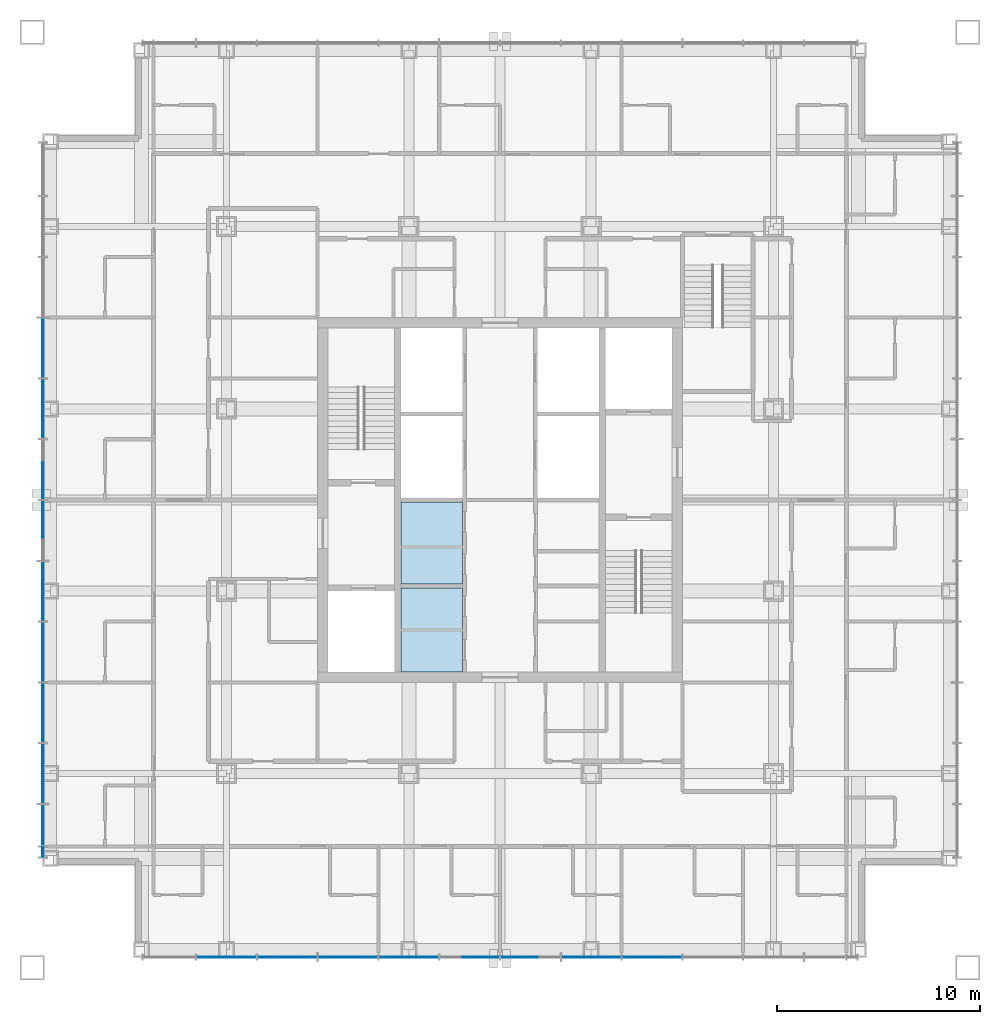
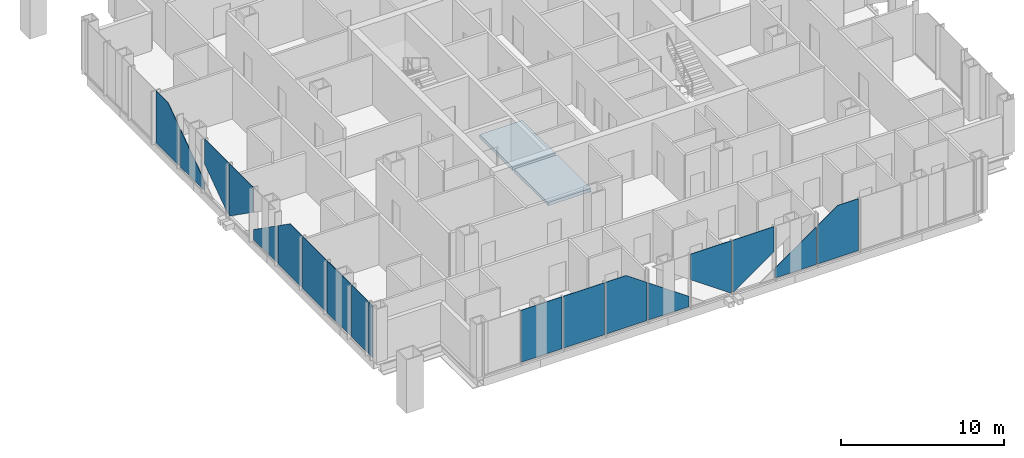
# One storey, part 7 of 17: 18 plates, 2 slabs, 2 elements without a shape of their own.
"""IFC4 building model written with IfcOpenShell, lengths in metres."""

from ifc_helpers import new_model, si_unit, direction, frame, origin, origin_2d, place, context, subcontext, project, spatial, polyline, rectangle, outline, extrude, material, layer, layer_set, type_object, element, aggregate, save


model = new_model("IFC4")

# Units and contexts
model_context = context("Model", 3, precision=1e-05, world=origin(), true_north=direction((0.0, 1.0)))
body_context = subcontext(model_context, "Body", "Model", "MODEL_VIEW")
ifc_project = project(units=[si_unit("LENGTHUNIT", "METRE"), si_unit("AREAUNIT", "SQUARE_METRE"), si_unit("VOLUMEUNIT", "CUBIC_METRE"), si_unit("PLANEANGLEUNIT", "RADIAN"), si_unit("MASSUNIT", "GRAM", prefix="KILO")], contexts=[model_context])

# Site, building, storey
site_placement = place(None, origin())
site = spatial("IfcSite", under=ifc_project, at=site_placement, CompositionType="ELEMENT")
building_placement = place(site_placement, origin())
building = spatial("IfcBuilding", under=site, at=building_placement, Name="Malebo Sky Hospital", CompositionType="ELEMENT")
storey_placement = place(building_placement, frame((0.0, 0.0, 193.0)))
storey = spatial("IfcBuildingStorey", under=building, at=storey_placement, Name="L46", CompositionType="ELEMENT", Elevation=193.0)

# Slabs
ifc_material_1 = material(Name="Concrete C40/50", Category="concrete")
ifc_layer_1 = layer(ifc_material_1, 0.25)
ifc_layer_set_1 = layer_set([ifc_layer_1], Name="SHAFT INFILL SLAB 250")
slab_type = type_object("IfcSlabType", Name="SHAFT INFILL SLAB 250", PredefinedType="FLOOR", material=ifc_layer_set_1)
slab_1_placement = place(storey_placement, frame((0.0, 0.0, -0.25)))
element("IfcSlab", 1, at=slab_1_placement, inside=storey, type_object=slab_type, Name="Shaft infill slab W1 L46", PredefinedType="FLOOR", context=body_context, shape_type="SweptSolid", body=[
    extrude(outline(polyline([(55.10009765625, 53.5), (58.14990234375, 53.5), (58.14990234375, 57.64990234375), (55.10009765625, 57.64990234375), (55.10009765625, 53.5)])), origin(), (0.0, 0.0, 1.0), 0.25),
])
slab_2_placement = place(storey_placement, frame((0.0, 0.0, -0.25)))
element("IfcSlab", 2, at=slab_2_placement, inside=storey, type_object=slab_type, Name="Shaft infill slab W2 L46", PredefinedType="FLOOR", context=body_context, shape_type="SweptSolid", body=[
    extrude(outline(polyline([(55.10009765625, 57.85009765625), (58.14990234375, 57.85009765625), (58.14990234375, 61.89990234375), (55.10009765625, 61.89990234375), (55.10009765625, 57.85009765625)])), origin(), (0.0, 0.0, 1.0), 0.25),
])

# Curtain wall, plates
ifc_material_2 = material(Name="Anodised aluminium, natural silver", Category="aluminium")
ifc_layer_2 = layer(ifc_material_2, 0.25)
ifc_layer_set_2 = layer_set([ifc_layer_2], Name="WARD CURTAIN WALL EAST AND WEST")
curtain_wall_type_1 = type_object("IfcCurtainWallType", Name="WARD CURTAIN WALL EAST AND WEST", PredefinedType="NOTDEFINED", material=ifc_layer_set_2)
curtain_wall_1_placement = place(storey_placement, origin())
curtain_wall_1 = element("IfcCurtainWall", 3, at=curtain_wall_1_placement, inside=storey, type_object=curtain_wall_type_1, Name="EW curtain wall W", PredefinedType="NOTDEFINED")
ifc_material_3 = material(Name="Clear low-iron double glazing", Category="glass")
ifc_layer_3 = layer(ifc_material_3, 0.031982421875)
ifc_layer_set_3 = layer_set([ifc_layer_3], Name="VISION PANEL CLEAR 32")
plate_type = type_object("IfcPlateType", Name="VISION PANEL CLEAR 32", PredefinedType="CURTAIN_PANEL", material=ifc_layer_set_3)
plate_1_placement = place(storey_placement, frame((37.425048828125, 44.61865234375, 0.10009765625), z_axis=(0.0, 0.0, 1.0), x_axis=(0.0, 1.0, 0.0)))
plate_1 = element("IfcPlate", 4, at=plate_1_placement, type_object=plate_type, Name="Panel 1", PredefinedType="CURTAIN_PANEL", context=body_context, shape_type="SweptSolid", body=[
    extrude(rectangle(XDim=0.487548828125, YDim=0.031982421875, at=origin_2d()), origin(), (0.0, 0.0, 1.0), 3.889892578125),
])
plate_2_placement = place(storey_placement, frame((37.425048828125, 45.949951171875, 0.10009765625), z_axis=(0.0, 0.0, 1.0), x_axis=(0.0, 1.0, 0.0)))
plate_2 = element("IfcPlate", 5, at=plate_2_placement, type_object=plate_type, Name="Panel 2", PredefinedType="CURTAIN_PANEL", context=body_context, shape_type="SweptSolid", body=[
    extrude(rectangle(XDim=2.02490234375, YDim=0.031982421875, at=origin_2d()), origin(), (0.0, 0.0, 1.0), 3.889892578125),
])
plate_3_placement = place(storey_placement, frame((37.425048828125, 48.5, 0.10009765625), z_axis=(0.0, 0.0, 1.0), x_axis=(0.0, 1.0, 0.0)))
plate_3 = element("IfcPlate", 6, at=plate_3_placement, type_object=plate_type, Name="Panel 3", PredefinedType="CURTAIN_PANEL", context=body_context, shape_type="SweptSolid", body=[
    extrude(rectangle(XDim=2.925048828125, YDim=0.031982421875, at=origin_2d()), origin(), (0.0, 0.0, 1.0), 3.889892578125),
])
plate_4_placement = place(storey_placement, frame((37.425048828125, 51.5, 0.10009765625), z_axis=(0.0, 0.0, 1.0), x_axis=(0.0, 1.0, 0.0)))
plate_4 = element("IfcPlate", 7, at=plate_4_placement, type_object=plate_type, Name="Panel 4", PredefinedType="CURTAIN_PANEL", context=body_context, shape_type="SweptSolid", body=[
    extrude(rectangle(XDim=2.925048828125, YDim=0.031982421875, at=origin_2d()), origin(), (0.0, 0.0, 1.0), 3.889892578125),
])
plate_5_placement = place(storey_placement, frame((37.425048828125, 54.5, 0.10009765625), z_axis=(0.0, 0.0, 1.0), x_axis=(0.0, 1.0, 0.0)))
plate_5 = element("IfcPlate", 8, at=plate_5_placement, type_object=plate_type, Name="Panel 5", PredefinedType="CURTAIN_PANEL", context=body_context, shape_type="SweptSolid", body=[
    extrude(outline(polyline([(-1.46240234375, 0.0), (1.46240234375, 0.0), (1.46240234375, 2.87353515625), (0.01513671875, 3.889892578125), (-1.46240234375, 3.889892578125), (-1.46240234375, 0.0)])), frame((0.0, 0.01611328125, 0.0), z_axis=(0.0, -1.0, 0.0), x_axis=(1.0, 0.0, 0.0)), (0.0, 0.0, 1.0), 0.031982421875),
])
plate_6_placement = place(storey_placement, frame((37.425048828125, 57.5, 0.10009765625), z_axis=(0.0, 0.0, 1.0), x_axis=(0.0, 1.0, 0.0)))
plate_6 = element("IfcPlate", 9, at=plate_6_placement, type_object=plate_type, Name="Panel 6", PredefinedType="CURTAIN_PANEL", context=body_context, shape_type="SweptSolid", body=[
    extrude(outline(polyline([(-1.46240234375, 0.0), (1.46240234375, 0.0), (1.46240234375, 0.766357421875), (-1.46240234375, 2.82080078125), (-1.46240234375, 0.0)])), frame((0.0, 0.01611328125, 0.0), z_axis=(0.0, -1.0, 0.0), x_axis=(1.0, 0.0, 0.0)), (0.0, 0.0, 1.0), 0.031982421875),
])
plate_7_placement = place(storey_placement, frame((37.425048828125, 60.5, 0.10009765625), z_axis=(0.0, 0.0, 1.0), x_axis=(0.0, 1.0, 0.0)))
plate_7 = element("IfcPlate", 10, at=plate_7_placement, type_object=plate_type, Name="Panel 7", PredefinedType="CURTAIN_PANEL", context=body_context, shape_type="SweptSolid", body=[
    extrude(outline(polyline([(1.382080078125, 0.0), (1.46240234375, 0.0), (1.46240234375, 3.889892578125), (-1.46240234375, 3.889892578125), (-1.46240234375, 1.998046875), (1.382080078125, 0.0)])), frame((0.0, 0.01611328125, 0.0), z_axis=(0.0, -1.0, 0.0), x_axis=(1.0, 0.0, 0.0)), (0.0, 0.0, 1.0), 0.031982421875),
])
plate_8_placement = place(storey_placement, frame((37.425048828125, 63.5, 0.10009765625), z_axis=(0.0, 0.0, 1.0), x_axis=(0.0, 1.0, 0.0)))
plate_8 = element("IfcPlate", 11, at=plate_8_placement, type_object=plate_type, Name="Panel 8", PredefinedType="CURTAIN_PANEL", context=body_context, shape_type="SweptSolid", body=[
    extrude(outline(polyline([(-1.46240234375, 0.0), (-1.382080078125, 0.0), (1.46240234375, 1.998046875), (1.46240234375, 3.889892578125), (-1.46240234375, 3.889892578125), (-1.46240234375, 0.0)])), frame((0.0, 0.01611328125, 0.0), z_axis=(0.0, -1.0, 0.0), x_axis=(1.0, 0.0, 0.0)), (0.0, 0.0, 1.0), 0.031982421875),
])
plate_9_placement = place(storey_placement, frame((37.425048828125, 66.5, 0.10009765625), z_axis=(0.0, 0.0, 1.0), x_axis=(0.0, 1.0, 0.0)))
plate_9 = element("IfcPlate", 12, at=plate_9_placement, type_object=plate_type, Name="Panel 9", PredefinedType="CURTAIN_PANEL", context=body_context, shape_type="SweptSolid", body=[
    extrude(outline(polyline([(-1.46240234375, 0.0), (1.46240234375, 0.0), (1.46240234375, 2.82080078125), (-1.46240234375, 0.766357421875), (-1.46240234375, 0.0)])), frame((0.0, 0.01611328125, 0.0), z_axis=(0.0, -1.0, 0.0), x_axis=(1.0, 0.0, 0.0)), (0.0, 0.0, 1.0), 0.031982421875),
])
plate_10_placement = place(storey_placement, frame((37.425048828125, 69.5, 0.10009765625), z_axis=(0.0, 0.0, 1.0), x_axis=(0.0, 1.0, 0.0)))
plate_10 = element("IfcPlate", 13, at=plate_10_placement, type_object=plate_type, Name="Panel 10", PredefinedType="CURTAIN_PANEL", context=body_context, shape_type="SweptSolid", body=[
    extrude(outline(polyline([(-1.46240234375, 0.0), (1.46240234375, 0.0), (1.46240234375, 3.889892578125), (-0.01513671875, 3.889892578125), (-1.46240234375, 2.87353515625), (-1.46240234375, 0.0)])), frame((0.0, 0.01611328125, 0.0), z_axis=(0.0, -1.0, 0.0), x_axis=(1.0, 0.0, 0.0)), (0.0, 0.0, 1.0), 0.031982421875),
])
aggregate(curtain_wall_1, [plate_1, plate_2, plate_3, plate_4, plate_5, plate_6, plate_7, plate_8, plate_9, plate_10])

ifc_layer_4 = layer(ifc_material_2, 0.25)
ifc_layer_set_4 = layer_set([ifc_layer_4], Name="WARD CURTAIN WALL NORTH AND SOUTH")
curtain_wall_type_2 = type_object("IfcCurtainWallType", Name="WARD CURTAIN WALL NORTH AND SOUTH", PredefinedType="NOTDEFINED", material=ifc_layer_set_4)
curtain_wall_2_placement = place(storey_placement, origin())
curtain_wall_2 = element("IfcCurtainWall", 14, at=curtain_wall_2_placement, inside=storey, type_object=curtain_wall_type_2, Name="NS curtain wall S", PredefinedType="NOTDEFINED")
plate_11_placement = place(storey_placement, frame((67.5, 39.425048828125, 0.10009765625), z_axis=(0.0, 0.0, 1.0), x_axis=(-1.0, 0.0, 0.0)))
plate_11 = element("IfcPlate", 15, at=plate_11_placement, type_object=plate_type, Name="Panel 5", PredefinedType="CURTAIN_PANEL", context=body_context, shape_type="SweptSolid", body=[
    extrude(outline(polyline([(-1.46240234375, 0.0), (1.46240234375, 0.0), (1.46240234375, 2.87353515625), (0.01513671875, 3.889892578125), (-1.46240234375, 3.889892578125), (-1.46240234375, 0.0)])), frame((0.0, 0.01611328125, 0.0), z_axis=(0.0, -1.0, 0.0), x_axis=(1.0, 0.0, 0.0)), (0.0, 0.0, 1.0), 0.031982421875),
])
plate_12_placement = place(storey_placement, frame((64.5, 39.425048828125, 0.10009765625), z_axis=(0.0, 0.0, 1.0), x_axis=(-1.0, 0.0, 0.0)))
plate_12 = element("IfcPlate", 16, at=plate_12_placement, type_object=plate_type, Name="Panel 6", PredefinedType="CURTAIN_PANEL", context=body_context, shape_type="SweptSolid", body=[
    extrude(outline(polyline([(-1.46240234375, 0.0), (1.46240234375, 0.0), (1.46240234375, 0.766357421875), (-1.46240234375, 2.82080078125), (-1.46240234375, 0.0)])), frame((0.0, 0.01611328125, 0.0), z_axis=(0.0, -1.0, 0.0), x_axis=(1.0, 0.0, 0.0)), (0.0, 0.0, 1.0), 0.031982421875),
])
plate_13_placement = place(storey_placement, frame((61.5, 39.425048828125, 0.10009765625), z_axis=(0.0, 0.0, 1.0), x_axis=(-1.0, 0.0, 0.0)))
plate_13 = element("IfcPlate", 17, at=plate_13_placement, type_object=plate_type, Name="Panel 7", PredefinedType="CURTAIN_PANEL", context=body_context, shape_type="SweptSolid", body=[
    extrude(outline(polyline([(1.382080078125, 0.0), (1.46240234375, 0.0), (1.46240234375, 3.889892578125), (-1.46240234375, 3.889892578125), (-1.46240234375, 1.998046875), (1.382080078125, 0.0)])), frame((0.0, 0.01611328125, 0.0), z_axis=(0.0, -1.0, 0.0), x_axis=(1.0, 0.0, 0.0)), (0.0, 0.0, 1.0), 0.031982421875),
])
plate_14_placement = place(storey_placement, frame((58.5, 39.425048828125, 0.10009765625), z_axis=(0.0, 0.0, 1.0), x_axis=(-1.0, 0.0, 0.0)))
plate_14 = element("IfcPlate", 18, at=plate_14_placement, type_object=plate_type, Name="Panel 8", PredefinedType="CURTAIN_PANEL", context=body_context, shape_type="SweptSolid", body=[
    extrude(outline(polyline([(-1.46240234375, 0.0), (-1.382080078125, 0.0), (1.46240234375, 1.998046875), (1.46240234375, 3.889892578125), (-1.46240234375, 3.889892578125), (-1.46240234375, 0.0)])), frame((0.0, 0.01611328125, 0.0), z_axis=(0.0, -1.0, 0.0), x_axis=(1.0, 0.0, 0.0)), (0.0, 0.0, 1.0), 0.031982421875),
])
plate_15_placement = place(storey_placement, frame((55.5, 39.425048828125, 0.10009765625), z_axis=(0.0, 0.0, 1.0), x_axis=(-1.0, 0.0, 0.0)))
plate_15 = element("IfcPlate", 19, at=plate_15_placement, type_object=plate_type, Name="Panel 9", PredefinedType="CURTAIN_PANEL", context=body_context, shape_type="SweptSolid", body=[
    extrude(outline(polyline([(-1.46240234375, 0.0), (1.46240234375, 0.0), (1.46240234375, 2.82080078125), (-1.46240234375, 0.766357421875), (-1.46240234375, 0.0)])), frame((0.0, 0.01611328125, 0.0), z_axis=(0.0, -1.0, 0.0), x_axis=(1.0, 0.0, 0.0)), (0.0, 0.0, 1.0), 0.031982421875),
])
plate_16_placement = place(storey_placement, frame((52.5, 39.425048828125, 0.10009765625), z_axis=(0.0, 0.0, 1.0), x_axis=(-1.0, 0.0, 0.0)))
plate_16 = element("IfcPlate", 20, at=plate_16_placement, type_object=plate_type, Name="Panel 10", PredefinedType="CURTAIN_PANEL", context=body_context, shape_type="SweptSolid", body=[
    extrude(outline(polyline([(-1.46240234375, 0.0), (1.46240234375, 0.0), (1.46240234375, 3.889892578125), (-0.01513671875, 3.889892578125), (-1.46240234375, 2.87353515625), (-1.46240234375, 0.0)])), frame((0.0, 0.01611328125, 0.0), z_axis=(0.0, -1.0, 0.0), x_axis=(1.0, 0.0, 0.0)), (0.0, 0.0, 1.0), 0.031982421875),
])
plate_17_placement = place(storey_placement, frame((49.5, 39.425048828125, 0.10009765625), z_axis=(0.0, 0.0, 1.0), x_axis=(-1.0, 0.0, 0.0)))
plate_17 = element("IfcPlate", 21, at=plate_17_placement, type_object=plate_type, Name="Panel 11", PredefinedType="CURTAIN_PANEL", context=body_context, shape_type="SweptSolid", body=[
    extrude(rectangle(XDim=2.925048828125, YDim=0.031982421875, at=origin_2d()), origin(), (0.0, 0.0, 1.0), 3.889892578125),
])
plate_18_placement = place(storey_placement, frame((46.5, 39.425048828125, 0.10009765625), z_axis=(0.0, 0.0, 1.0), x_axis=(-1.0, 0.0, 0.0)))
plate_18 = element("IfcPlate", 22, at=plate_18_placement, type_object=plate_type, Name="Panel 12", PredefinedType="CURTAIN_PANEL", context=body_context, shape_type="SweptSolid", body=[
    extrude(rectangle(XDim=2.925048828125, YDim=0.031982421875, at=origin_2d()), origin(), (0.0, 0.0, 1.0), 3.889892578125),
])
aggregate(curtain_wall_2, [plate_11, plate_12, plate_13, plate_14, plate_15, plate_16, plate_17, plate_18])

save(model, "model.ifc")
